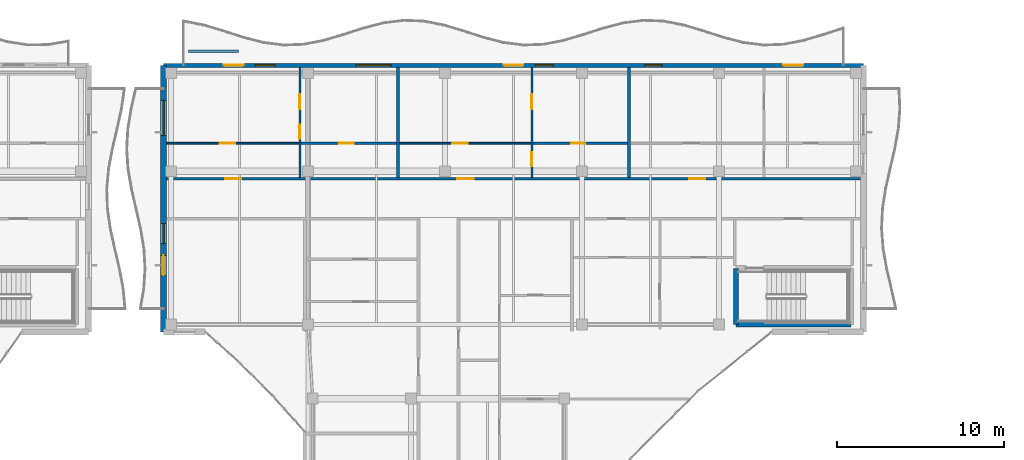
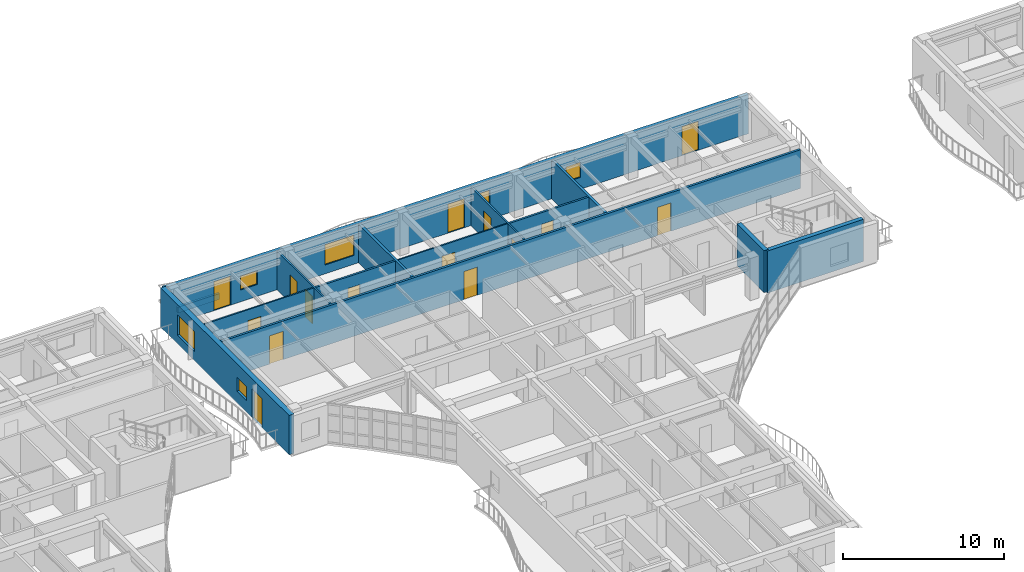
# One storey, part 53 of 89: 15 doors, 14 walls, 6 windows, 21 openings.
"""IFC4 building model written with IfcOpenShell, lengths in metres."""

from ifc_helpers import new_model, si_unit, direction, frame, frame_2d, origin, place, context, subcontext, project, spatial, rectangle, extrude, material, layer, layer_set, type_object, element, fill, save


model = new_model("IFC4")

# Units and contexts
model_context = context("Model", 3, precision=1e-05, world=origin(), true_north=direction((0.0, 1.0)))
body_context = subcontext(model_context, "Body", "Model", "MODEL_VIEW")
ifc_project = project(units=[si_unit("LENGTHUNIT", "METRE"), si_unit("AREAUNIT", "SQUARE_METRE"), si_unit("VOLUMEUNIT", "CUBIC_METRE"), si_unit("PLANEANGLEUNIT", "RADIAN"), si_unit("MASSUNIT", "GRAM", prefix="KILO")], contexts=[model_context])

# Site, building, storey
site_placement = place(None, origin())
site = spatial("IfcSite", under=ifc_project, at=site_placement, CompositionType="ELEMENT")
building_placement = place(site_placement, origin())
building = spatial("IfcBuilding", under=site, at=building_placement, Name="Keldmere Railside Commons", CompositionType="ELEMENT")
storey_placement = place(building_placement, frame((0.0, 0.0, 7.360107421875)))
storey = spatial("IfcBuildingStorey", under=building, at=storey_placement, Name="L02", CompositionType="ELEMENT", Elevation=7.360107421875)

# Walls
ifc_material_1 = material(Name="Acoustic Gypsum Board Partition", Category="gypsum")
ifc_layer_1 = layer(ifc_material_1, 0.179931640625, Name="Acoustic Demising Partition 180")
ifc_layer_set_1 = layer_set([ifc_layer_1], Name="Acoustic Gypsum Board Partition")
wall_type_1 = type_object("IfcWallType", Name="Acoustic Demising Partition 180", PredefinedType="PARTITIONING", material=ifc_layer_set_1)
for number, where, z_axis, x_axis, name in (
    (1, (53.56005859375, 109.280029296875, 0.0), (0.0, 0.0, 1.0), (0.0, 1.0, 0.0), "IW-1 IW-L02-0573"),
    (2, (67.43994140625, 109.280029296875, 0.0), (0.0, 0.0, 1.0), (0.0, 1.0, 0.0), "IW-1 IW-L02-0574"),
):
    element("IfcWall", number, at=place(storey_placement, frame(where, z_axis=z_axis, x_axis=x_axis)), inside=storey, type_object=wall_type_1, Name=name, PredefinedType="PARTITIONING", context=body_context, shape_type="SweptSolid", body=[
        extrude(rectangle(XDim=6.599853515625, YDim=0.179931640625, at=frame_2d((3.2998046875, 0.0))), origin(), (0.0, 0.0, 1.0), 2.934814453125),
    ])

# Wall, openings, doors
ifc_layer_2 = layer(ifc_material_1, 0.1201171875, Name="Apartment Interior Partition 120")
ifc_layer_set_2 = layer_set([ifc_layer_2], Name="Acoustic Gypsum Board Partition")
wall_type_2 = type_object("IfcWallType", Name="Apartment Interior Partition 120", PredefinedType="PARTITIONING", material=ifc_layer_set_2)
wall_1_placement = place(storey_placement, frame((47.679931640625, 109.280029296875, 0.0), z_axis=(0.0, 0.0, 1.0), x_axis=(0.0, 1.0, 0.0)))
wall_1 = element("IfcWall", 3, at=wall_1_placement, inside=storey, type_object=wall_type_2, Name="IW-4 IW-L02-0575", PredefinedType="PARTITIONING", context=body_context, shape_type="SweptSolid", body=[
    extrude(rectangle(XDim=6.599853515625, YDim=0.1201171875, at=frame_2d((3.2998046875, 0.0))), origin(), (0.0, 0.0, 1.0), 2.934814453125),
])
opening_1_placement = place(wall_1_placement, frame((2.305908203125, 0.0, 0.0)))
opening_1 = element("IfcOpeningElement", 4, at=opening_1_placement, cuts=wall_1, Name="Opening ID-04", PredefinedType="OPENING", context=body_context, shape_type="SweptSolid", body=[
    extrude(rectangle(XDim=0.860107421875, YDim=2.10009765625, at=frame_2d((0.43017578125, 1.050048828125))), frame((0.0, 0.070068359375, 0.0), z_axis=(0.0, -1.0, 0.0), x_axis=(1.0, 0.0, 0.0)), (0.0, 0.0, 1.0), 0.14013671875),
])
opening_2_placement = place(wall_1_placement, frame((4.097412109375, 0.0, 0.0)))
opening_2 = element("IfcOpeningElement", 5, at=opening_2_placement, cuts=wall_1, Name="Opening ID-01", PredefinedType="OPENING", context=body_context, shape_type="SweptSolid", body=[
    extrude(rectangle(XDim=0.89990234375, YDim=2.10009765625, at=frame_2d((0.449951171875, 1.050048828125))), frame((0.0, 0.070068359375, 0.0), z_axis=(0.0, -1.0, 0.0), x_axis=(1.0, 0.0, 0.0)), (0.0, 0.0, 1.0), 0.14013671875),
])
ifc_material_2 = material(Name="Engineered Oak Timber", Category="wood")
door_type_1 = type_object("IfcDoorType", Name="Apartment Bathroom Door 860x2100", OperationType="NOTDEFINED", PredefinedType="DOOR", material=ifc_material_2)
door_1_placement = place(opening_1_placement, origin())
door_1 = element("IfcDoor", 6, at=door_1_placement, inside=storey, type_object=door_type_1, Name="ID-04 IDR-L02-0465", OperationType="SINGLE_SWING_LEFT", OverallHeight=2.10009765625, OverallWidth=0.860107421875, PredefinedType="DOOR", context=body_context, shape_type="SweptSolid", body=[
    extrude(rectangle(XDim=0.860107421875, YDim=2.10009765625, at=frame_2d((0.43017578125, 1.050048828125))), frame((0.0, 0.02490234375, 0.0), z_axis=(0.0, -1.0, 0.0), x_axis=(1.0, 0.0, 0.0)), (0.0, 0.0, 1.0), 0.050048828125),
])
fill(opening_1, door_1)
door_type_2 = type_object("IfcDoorType", Name="Primary Bedroom Door 900x2100", OperationType="NOTDEFINED", PredefinedType="DOOR", material=ifc_material_2)
door_2_placement = place(opening_2_placement, origin())
door_2 = element("IfcDoor", 7, at=door_2_placement, inside=storey, type_object=door_type_2, Name="ID-01 IDR-L02-0466", OperationType="SINGLE_SWING_RIGHT", OverallHeight=2.10009765625, OverallWidth=0.89990234375, PredefinedType="DOOR", context=body_context, shape_type="SweptSolid", body=[
    extrude(rectangle(XDim=0.89990234375, YDim=2.10009765625, at=frame_2d((0.449951171875, 1.050048828125))), frame((0.0, 0.02490234375, 0.0), z_axis=(0.0, -1.0, 0.0), x_axis=(1.0, 0.0, 0.0)), (0.0, 0.0, 1.0), 0.050048828125),
])
fill(opening_2, door_2)

wall_2_placement = place(storey_placement, frame((61.60009765625, 109.280029296875, 0.0), z_axis=(0.0, 0.0, 1.0), x_axis=(0.0, 1.0, 0.0)))
wall_2 = element("IfcWall", 8, at=wall_2_placement, inside=storey, type_object=wall_type_2, Name="IW-4 IW-L02-0578", PredefinedType="PARTITIONING", context=body_context, shape_type="SweptSolid", body=[
    extrude(rectangle(XDim=6.599853515625, YDim=0.1201171875, at=frame_2d((3.2998046875, 0.0))), origin(), (0.0, 0.0, 1.0), 2.934814453125),
])
opening_3_placement = place(wall_2_placement, frame((0.656005859375, 0.0, 0.0)))
opening_3 = element("IfcOpeningElement", 9, at=opening_3_placement, cuts=wall_2, Name="Opening ID-04", PredefinedType="OPENING", context=body_context, shape_type="SweptSolid", body=[
    extrude(rectangle(XDim=0.860107421875, YDim=2.10009765625, at=frame_2d((0.43017578125, 1.050048828125))), frame((0.0, 0.070068359375, 0.0), z_axis=(0.0, -1.0, 0.0), x_axis=(1.0, 0.0, 0.0)), (0.0, 0.0, 1.0), 0.14013671875),
])
opening_4_placement = place(wall_2_placement, frame((4.097412109375, 0.0, 0.0)))
opening_4 = element("IfcOpeningElement", 10, at=opening_4_placement, cuts=wall_2, Name="Opening ID-01", PredefinedType="OPENING", context=body_context, shape_type="SweptSolid", body=[
    extrude(rectangle(XDim=0.89990234375, YDim=2.10009765625, at=frame_2d((0.449951171875, 1.050048828125))), frame((0.0, 0.070068359375, 0.0), z_axis=(0.0, -1.0, 0.0), x_axis=(1.0, 0.0, 0.0)), (0.0, 0.0, 1.0), 0.14013671875),
])
door_3_placement = place(opening_3_placement, origin())
door_3 = element("IfcDoor", 11, at=door_3_placement, inside=storey, type_object=door_type_1, Name="ID-04 IDR-L02-0470", OperationType="SINGLE_SWING_RIGHT", OverallHeight=2.10009765625, OverallWidth=0.860107421875, PredefinedType="DOOR", context=body_context, shape_type="SweptSolid", body=[
    extrude(rectangle(XDim=0.860107421875, YDim=2.10009765625, at=frame_2d((0.43017578125, 1.050048828125))), frame((0.0, 0.02490234375, 0.0), z_axis=(0.0, -1.0, 0.0), x_axis=(1.0, 0.0, 0.0)), (0.0, 0.0, 1.0), 0.050048828125),
])
fill(opening_3, door_3)
door_4_placement = place(opening_4_placement, origin())
door_4 = element("IfcDoor", 12, at=door_4_placement, inside=storey, type_object=door_type_2, Name="ID-01 IDR-L02-0471", OperationType="SINGLE_SWING_LEFT", OverallHeight=2.10009765625, OverallWidth=0.89990234375, PredefinedType="DOOR", context=body_context, shape_type="SweptSolid", body=[
    extrude(rectangle(XDim=0.89990234375, YDim=2.10009765625, at=frame_2d((0.449951171875, 1.050048828125))), frame((0.0, 0.02490234375, 0.0), z_axis=(0.0, -1.0, 0.0), x_axis=(1.0, 0.0, 0.0)), (0.0, 0.0, 1.0), 0.050048828125),
])
fill(opening_4, door_4)

# Wall
ifc_material_3 = material(Name="White Precast Concrete H-35 (C35/45)", Category="concrete")
ifc_layer_3 = layer(ifc_material_3, 0.169921875, Name="Balcony Planter Kerb Wall 170")
ifc_layer_set_3 = layer_set([ifc_layer_3], Name="White Precast Concrete H-35 (C35/45)")
wall_type_3 = type_object("IfcWallType", Name="Balcony Planter Kerb Wall 170", PredefinedType="PARAPET", material=ifc_layer_set_3)
wall_3_placement = place(storey_placement, frame((41.0, 116.85009765625, 0.0), z_axis=(0.0, 0.0, 1.0), x_axis=(1.0, 0.0, 0.0)))
element("IfcWall", 13, at=wall_3_placement, inside=storey, type_object=wall_type_3, Name="PW-2 PKBC-L02-0343", PredefinedType="PARAPET", context=body_context, shape_type="SweptSolid", body=[
    extrude(rectangle(XDim=3.0, YDim=0.169921875, at=frame_2d((1.5, 0.0))), origin(), (0.0, 0.0, 1.0), 0.449951171875),
])

# Wall, opening, door
ifc_layer_4 = layer(ifc_material_1, 0.10009765625, Name="Closet Light Partition 100")
ifc_layer_set_4 = layer_set([ifc_layer_4], Name="Acoustic Gypsum Board Partition")
wall_type_4 = type_object("IfcWallType", Name="Closet Light Partition 100", PredefinedType="PARTITIONING", material=ifc_layer_set_4)
wall_4_placement = place(storey_placement, frame((39.679931640625, 111.330078125, 0.0), z_axis=(0.0, 0.0, 1.0), x_axis=(1.0, 0.0, 0.0)))
wall_4 = element("IfcWall", 14, at=wall_4_placement, inside=storey, type_object=wall_type_4, Name="IW-6 IW-L02-0577", PredefinedType="PARTITIONING", context=body_context, shape_type="SweptSolid", body=[
    extrude(rectangle(XDim=7.940185546875, YDim=0.10009765625, at=frame_2d((3.97021484375, 0.0))), origin(), (0.0, 0.0, 1.0), 2.934814453125),
])
opening_5_placement = place(wall_4_placement, frame((3.199951171875, 0.0, 0.0)))
opening_5 = element("IfcOpeningElement", 15, at=opening_5_placement, cuts=wall_4, Name="Opening ID-03", PredefinedType="OPENING", context=body_context, shape_type="SweptSolid", body=[
    extrude(rectangle(XDim=0.919921875, YDim=2.10009765625, at=frame_2d((0.4599609375, 1.050048828125))), frame((0.0, 0.06005859375, 0.0), z_axis=(0.0, -1.0, 0.0), x_axis=(1.0, 0.0, 0.0)), (0.0, 0.0, 1.0), 0.1201171875),
])
door_type_3 = type_object("IfcDoorType", Name="Kitchen Pocket-Frame Swing Door 920x2100", OperationType="NOTDEFINED", PredefinedType="DOOR", material=ifc_material_2)
door_5_placement = place(opening_5_placement, origin())
door_5 = element("IfcDoor", 16, at=door_5_placement, inside=storey, type_object=door_type_3, Name="ID-03 IDR-L02-0464", OperationType="SINGLE_SWING_RIGHT", OverallHeight=2.10009765625, OverallWidth=0.919921875, PredefinedType="DOOR", context=body_context, shape_type="SweptSolid", body=[
    extrude(rectangle(XDim=0.919921875, YDim=2.10009765625, at=frame_2d((0.4599609375, 1.050048828125))), frame((0.0, 0.02490234375, 0.0), z_axis=(0.0, -1.0, 0.0), x_axis=(1.0, 0.0, 0.0)), (0.0, 0.0, 1.0), 0.050048828125),
])
fill(opening_5, door_5)

wall_5_placement = place(storey_placement, frame((53.64990234375, 111.330078125, 0.0), z_axis=(0.0, 0.0, 1.0), x_axis=(1.0, 0.0, 0.0)))
wall_5 = element("IfcWall", 17, at=wall_5_placement, inside=storey, type_object=wall_type_4, Name="IW-6 IW-L02-0580", PredefinedType="PARTITIONING", context=body_context, shape_type="SweptSolid", body=[
    extrude(rectangle(XDim=7.89013671875, YDim=0.10009765625, at=frame_2d((3.945068359375, 0.0))), origin(), (0.0, 0.0, 1.0), 2.934814453125),
])
opening_6_placement = place(wall_5_placement, frame((3.179931640625, 0.0, 0.0)))
opening_6 = element("IfcOpeningElement", 18, at=opening_6_placement, cuts=wall_5, Name="Opening ID-03", PredefinedType="OPENING", context=body_context, shape_type="SweptSolid", body=[
    extrude(rectangle(XDim=0.919921875, YDim=2.10009765625, at=frame_2d((0.4599609375, 1.050048828125))), frame((0.0, 0.06005859375, 0.0), z_axis=(0.0, -1.0, 0.0), x_axis=(1.0, 0.0, 0.0)), (0.0, 0.0, 1.0), 0.1201171875),
])
door_6_placement = place(opening_6_placement, origin())
door_6 = element("IfcDoor", 19, at=door_6_placement, inside=storey, type_object=door_type_3, Name="ID-03 IDR-L02-0469", OperationType="SINGLE_SWING_LEFT", OverallHeight=2.10009765625, OverallWidth=0.919921875, PredefinedType="DOOR", context=body_context, shape_type="SweptSolid", body=[
    extrude(rectangle(XDim=0.919921875, YDim=2.10009765625, at=frame_2d((0.4599609375, 1.050048828125))), frame((0.0, 0.02490234375, 0.0), z_axis=(0.0, -1.0, 0.0), x_axis=(1.0, 0.0, 0.0)), (0.0, 0.0, 1.0), 0.050048828125),
])
fill(opening_6, door_6)

# Wall, openings, doors
ifc_layer_5 = layer(ifc_material_1, 0.159912109375, Name="Corridor Fire Partition 160")
ifc_layer_set_5 = layer_set([ifc_layer_5], Name="Acoustic Gypsum Board Partition")
wall_type_5 = type_object("IfcWallType", Name="Corridor Fire Partition 160", PredefinedType="PARTITIONING", material=ifc_layer_set_5)
wall_6_placement = place(storey_placement, frame((39.679931640625, 109.199951171875, 0.0), z_axis=(0.0, 0.0, 1.0), x_axis=(1.0, 0.0, 0.0)))
wall_6 = element("IfcWall", 20, at=wall_6_placement, inside=storey, type_object=wall_type_5, Name="IW-2 IW-L02-0554", PredefinedType="PARTITIONING", context=body_context, shape_type="SweptSolid", body=[
    extrude(rectangle(XDim=41.64013671875, YDim=0.159912109375, at=frame_2d((20.820068359375, 0.0))), origin(), (0.0, 0.0, 1.0), 2.934814453125),
])
opening_7_placement = place(wall_6_placement, frame((3.510009765625, 0.0, 0.0)))
opening_7 = element("IfcOpeningElement", 21, at=opening_7_placement, cuts=wall_6, Name="Opening FD-7", PredefinedType="OPENING", context=body_context, shape_type="SweptSolid", body=[
    extrude(rectangle(XDim=0.97998046875, YDim=2.14990234375, at=frame_2d((0.489990234375, 1.074951171875))), frame((0.0, 0.08984375, 0.0), z_axis=(0.0, -1.0, 0.0), x_axis=(1.0, 0.0, 0.0)), (0.0, 0.0, 1.0), 0.179931640625),
])
opening_8_placement = place(wall_6_placement, frame((17.455078125, 0.0, 0.0)))
opening_8 = element("IfcOpeningElement", 22, at=opening_8_placement, cuts=wall_6, Name="Opening FD-7", PredefinedType="OPENING", context=body_context, shape_type="SweptSolid", body=[
    extrude(rectangle(XDim=0.97998046875, YDim=2.14990234375, at=frame_2d((0.489990234375, 1.074951171875))), frame((0.0, 0.08984375, 0.0), z_axis=(0.0, -1.0, 0.0), x_axis=(1.0, 0.0, 0.0)), (0.0, 0.0, 1.0), 0.179931640625),
])
opening_9_placement = place(wall_6_placement, frame((31.360107421875, 0.0, 0.0)))
opening_9 = element("IfcOpeningElement", 23, at=opening_9_placement, cuts=wall_6, Name="Opening FD-7", PredefinedType="OPENING", context=body_context, shape_type="SweptSolid", body=[
    extrude(rectangle(XDim=0.97998046875, YDim=2.14990234375, at=frame_2d((0.489990234375, 1.074951171875))), frame((0.0, 0.08984375, 0.0), z_axis=(0.0, -1.0, 0.0), x_axis=(1.0, 0.0, 0.0)), (0.0, 0.0, 1.0), 0.179931640625),
])
door_type_4 = type_object("IfcDoorType", Name="Apartment Entrance Acoustic Fire Door 980x2150", OperationType="NOTDEFINED", PredefinedType="DOOR", material=ifc_material_2)
door_7_placement = place(opening_7_placement, origin())
door_7 = element("IfcDoor", 24, at=door_7_placement, inside=storey, type_object=door_type_4, Name="FD-7 IDR-L02-0463", OperationType="SINGLE_SWING_LEFT", OverallHeight=2.14990234375, OverallWidth=0.97998046875, PredefinedType="DOOR", context=body_context, shape_type="SweptSolid", body=[
    extrude(rectangle(XDim=0.97998046875, YDim=2.14990234375, at=frame_2d((0.489990234375, 1.074951171875))), frame((0.0, 0.02490234375, 0.0), z_axis=(0.0, -1.0, 0.0), x_axis=(1.0, 0.0, 0.0)), (0.0, 0.0, 1.0), 0.050048828125),
])
fill(opening_7, door_7)
door_8_placement = place(opening_8_placement, origin())
door_8 = element("IfcDoor", 25, at=door_8_placement, inside=storey, type_object=door_type_4, Name="FD-7 IDR-L02-0468", OperationType="SINGLE_SWING_RIGHT", OverallHeight=2.14990234375, OverallWidth=0.97998046875, PredefinedType="DOOR", context=body_context, shape_type="SweptSolid", body=[
    extrude(rectangle(XDim=0.97998046875, YDim=2.14990234375, at=frame_2d((0.489990234375, 1.074951171875))), frame((0.0, 0.02490234375, 0.0), z_axis=(0.0, -1.0, 0.0), x_axis=(1.0, 0.0, 0.0)), (0.0, 0.0, 1.0), 0.050048828125),
])
fill(opening_8, door_8)
door_9_placement = place(opening_9_placement, origin())
door_9 = element("IfcDoor", 26, at=door_9_placement, inside=storey, type_object=door_type_4, Name="FD-7 IDR-L02-0473", OperationType="SINGLE_SWING_LEFT", OverallHeight=2.14990234375, OverallWidth=0.97998046875, PredefinedType="DOOR", context=body_context, shape_type="SweptSolid", body=[
    extrude(rectangle(XDim=0.97998046875, YDim=2.14990234375, at=frame_2d((0.489990234375, 1.074951171875))), frame((0.0, 0.02490234375, 0.0), z_axis=(0.0, -1.0, 0.0), x_axis=(1.0, 0.0, 0.0)), (0.0, 0.0, 1.0), 0.050048828125),
])
fill(opening_9, door_9)

# Wall, openings, windows, door
ifc_material_4 = material(Name="Concrete H-35 (C35/45)", Category="concrete")
ifc_layer_6 = layer(ifc_material_4, 0.360107421875, Name="Exterior Shear Wall 360")
ifc_layer_set_6 = layer_set([ifc_layer_6], Name="Concrete H-35 (C35/45)")
wall_type_6 = type_object("IfcWallType", Name="Exterior Shear Wall 360", PredefinedType="SHEAR", material=ifc_layer_set_6)
wall_7_placement = place(storey_placement, frame((39.5, 100.0, 0.0), z_axis=(0.0, 0.0, 1.0), x_axis=(0.0, 1.0, 0.0)))
wall_7 = element("IfcWall", 27, at=wall_7_placement, inside=storey, type_object=wall_type_6, Name="ESW-1 EXTC-L02-0340", PredefinedType="SHEAR", context=body_context, shape_type="SweptSolid", body=[
    extrude(rectangle(XDim=16.0, YDim=0.360107421875, at=frame_2d((8.0, 0.0))), origin(), (0.0, 0.0, 1.0), 2.97998046875),
])
opening_10_placement = place(wall_7_placement, frame((3.39990234375, 0.0, 0.0)))
opening_10 = element("IfcOpeningElement", 28, at=opening_10_placement, cuts=wall_7, Name="Opening BD-01", PredefinedType="OPENING", context=body_context, shape_type="SweptSolid", body=[
    extrude(rectangle(XDim=1.199951171875, YDim=2.199951171875, at=frame_2d((0.60009765625, 1.10009765625))), frame((0.0, 0.18994140625, 0.0), z_axis=(0.0, -1.0, 0.0), x_axis=(1.0, 0.0, 0.0)), (0.0, 0.0, 1.0), 0.380126953125),
])
opening_11_placement = place(wall_7_placement, frame((5.300048828125, 0.0, 0.89990234375)))
opening_11 = element("IfcOpeningElement", 29, at=opening_11_placement, cuts=wall_7, Name="Opening WN-14", PredefinedType="OPENING", context=body_context, shape_type="SweptSolid", body=[
    extrude(rectangle(XDim=1.199951171875, YDim=1.050048828125, at=frame_2d((0.60009765625, 0.52490234375))), frame((0.0, 0.18994140625, 0.0), z_axis=(0.0, -1.0, 0.0), x_axis=(1.0, 0.0, 0.0)), (0.0, 0.0, 1.0), 0.380126953125),
])
opening_12_placement = place(wall_7_placement, frame((11.800048828125, 0.0, 0.669921875)))
opening_12 = element("IfcOpeningElement", 30, at=opening_12_placement, cuts=wall_7, Name="Opening WN-11", PredefinedType="OPENING", context=body_context, shape_type="SweptSolid", body=[
    extrude(rectangle(XDim=2.10009765625, YDim=1.550048828125, at=frame_2d((1.050048828125, 0.77490234375))), frame((0.0, 0.18994140625, 0.0), z_axis=(0.0, -1.0, 0.0), x_axis=(1.0, 0.0, 0.0)), (0.0, 0.0, 1.0), 0.380126953125),
])
ifc_material_5 = material(Name="Low-E Insulated Double Glazing", Category="glass")
window_type_1 = type_object("IfcWindowType", Name="Apartment Kitchen Ribbon Window 1200x1050", PartitioningType="SINGLE_PANEL", PredefinedType="WINDOW", material=ifc_material_5)
window_1_placement = place(opening_11_placement, origin())
window_1 = element("IfcWindow", 31, at=window_1_placement, inside=storey, type_object=window_type_1, Name="WN-14 WIN-L02-0204", OverallHeight=1.050048828125, OverallWidth=1.199951171875, PartitioningType="SINGLE_PANEL", PredefinedType="WINDOW", context=body_context, shape_type="SweptSolid", body=[
    extrude(rectangle(XDim=1.199951171875, YDim=1.050048828125, at=frame_2d((0.60009765625, 0.52490234375))), frame((0.0, 0.030029296875, 0.0), z_axis=(0.0, -1.0, 0.0), x_axis=(1.0, 0.0, 0.0)), (0.0, 0.0, 1.0), 0.06005859375),
])
fill(opening_11, window_1)
ifc_material_6 = material(Name="Thermally Broken Aluminium", Category="aluminium")
door_type_5 = type_object("IfcDoorType", Name="Apartment Living Wave-Balcony Glazed Door 1200x2200", OperationType="NOTDEFINED", PredefinedType="DOOR", material=ifc_material_6)
door_10_placement = place(opening_10_placement, origin())
door_10 = element("IfcDoor", 32, at=door_10_placement, inside=storey, type_object=door_type_5, Name="BD-01 DR-L02-0067", OperationType="SINGLE_SWING_LEFT", OverallHeight=2.199951171875, OverallWidth=1.199951171875, PredefinedType="DOOR", context=body_context, shape_type="SweptSolid", body=[
    extrude(rectangle(XDim=1.199951171875, YDim=2.199951171875, at=frame_2d((0.60009765625, 1.10009765625))), frame((0.0, 0.02490234375, 0.0), z_axis=(0.0, -1.0, 0.0), x_axis=(1.0, 0.0, 0.0)), (0.0, 0.0, 1.0), 0.050048828125),
])
fill(opening_10, door_10)
window_type_2 = type_object("IfcWindowType", Name="Studio Wide Casement Window 2100x1550", PartitioningType="SINGLE_PANEL", PredefinedType="WINDOW", material=ifc_material_5)
window_2_placement = place(opening_12_placement, origin())
window_2 = element("IfcWindow", 33, at=window_2_placement, inside=storey, type_object=window_type_2, Name="WN-11 WIN-L02-0205", OverallHeight=1.550048828125, OverallWidth=2.10009765625, PartitioningType="SINGLE_PANEL", PredefinedType="WINDOW", context=body_context, shape_type="SweptSolid", body=[
    extrude(rectangle(XDim=2.10009765625, YDim=1.550048828125, at=frame_2d((1.050048828125, 0.77490234375))), frame((0.0, 0.030029296875, 0.0), z_axis=(0.0, -1.0, 0.0), x_axis=(1.0, 0.0, 0.0)), (0.0, 0.0, 1.0), 0.06005859375),
])
fill(opening_12, window_2)

# Walls
ifc_layer_7 = layer(ifc_material_4, 0.300048828125, Name="Interior Shear Wall 300")
ifc_layer_set_7 = layer_set([ifc_layer_7], Name="Concrete H-35 (C35/45)")
wall_type_7 = type_object("IfcWallType", Name="Interior Shear Wall 300", PredefinedType="SHEAR", material=ifc_layer_set_7)
wall_8_placement = place(storey_placement, frame((73.85009765625, 100.449951171875, 0.0), z_axis=(0.0, 0.0, 1.0), x_axis=(1.0, 0.0, 0.0)))
element("IfcWall", 34, at=wall_8_placement, inside=storey, type_object=wall_type_7, Name="ISW-2 COREC2S-L02-0230", PredefinedType="SHEAR", context=body_context, shape_type="SweptSolid", body=[
    extrude(rectangle(XDim=6.89990234375, YDim=0.300048828125, at=frame_2d((3.449951171875, 0.0))), origin(), (0.0, 0.0, 1.0), 3.199951171875),
])
wall_9_placement = place(storey_placement, frame((73.85009765625, 103.820068359375, 0.0), z_axis=(0.0, 0.0, 1.0), x_axis=(0.0, -1.0, 0.0)))
element("IfcWall", 35, at=wall_9_placement, inside=storey, type_object=wall_type_7, Name="ISW-2 COREC2W-L02-0232", PredefinedType="SHEAR", context=body_context, shape_type="SweptSolid", body=[
    extrude(rectangle(XDim=3.3701171875, YDim=0.300048828125, at=frame_2d((1.68505859375, 0.0))), origin(), (0.0, 0.0, 1.0), 3.199951171875),
])

# Wall, openings, windows, doors
ifc_material_7 = material(Name="Architectural Precast Concrete H-35 (C35/45)", Category="concrete")
ifc_layer_8 = layer(ifc_material_7, 0.239990234375, Name="Sand-Ochre Precast Cavity Wall 240")
ifc_layer_set_8 = layer_set([ifc_layer_8], Name="Architectural Precast Concrete H-35 (C35/45)")
wall_type_8 = type_object("IfcWallType", Name="Sand-Ochre Precast Cavity Wall 240", PredefinedType="SOLIDWALL", material=ifc_layer_set_8)
wall_10_placement = place(storey_placement, frame((39.5, 116.0, 0.0), z_axis=(0.0, 0.0, 1.0), x_axis=(1.0, 0.0, 0.0)))
wall_10 = element("IfcWall", 36, at=wall_10_placement, inside=storey, type_object=wall_type_8, Name="EW-2 EXTC-L02-0339", PredefinedType="SOLIDWALL", context=body_context, shape_type="SweptSolid", body=[
    extrude(rectangle(XDim=42.0, YDim=0.239990234375, at=frame_2d((21.0, 0.0))), origin(), (0.0, 0.0, 1.0), 2.97998046875),
])
opening_13_placement = place(wall_10_placement, frame((3.60009765625, 0.0, 0.0)))
opening_13 = element("IfcOpeningElement", 37, at=opening_13_placement, cuts=wall_10, Name="Opening BD-01", PredefinedType="OPENING", context=body_context, shape_type="SweptSolid", body=[
    extrude(rectangle(XDim=1.199951171875, YDim=2.199951171875, at=frame_2d((0.60009765625, 1.10009765625))), frame((0.0, 0.1298828125, 0.0), z_axis=(0.0, -1.0, 0.0), x_axis=(1.0, 0.0, 0.0)), (0.0, 0.0, 1.0), 0.260009765625),
])
opening_14_placement = place(wall_10_placement, frame((5.5, 0.0, 0.89990234375)))
opening_14 = element("IfcOpeningElement", 38, at=opening_14_placement, cuts=wall_10, Name="Opening WN-14", PredefinedType="OPENING", context=body_context, shape_type="SweptSolid", body=[
    extrude(rectangle(XDim=1.199951171875, YDim=1.050048828125, at=frame_2d((0.60009765625, 0.52490234375))), frame((0.0, 0.1298828125, 0.0), z_axis=(0.0, -1.0, 0.0), x_axis=(1.0, 0.0, 0.0)), (0.0, 0.0, 1.0), 0.260009765625),
])
opening_15_placement = place(wall_10_placement, frame((11.550048828125, 0.0, 0.669921875)))
opening_15 = element("IfcOpeningElement", 39, at=opening_15_placement, cuts=wall_10, Name="Opening WN-11", PredefinedType="OPENING", context=body_context, shape_type="SweptSolid", body=[
    extrude(rectangle(XDim=2.10009765625, YDim=1.550048828125, at=frame_2d((1.050048828125, 0.77490234375))), frame((0.0, 0.1298828125, 0.0), z_axis=(0.0, -1.0, 0.0), x_axis=(1.0, 0.0, 0.0)), (0.0, 0.0, 1.0), 0.260009765625),
])
opening_16_placement = place(wall_10_placement, frame((20.39990234375, 0.0, 0.0)))
opening_16 = element("IfcOpeningElement", 40, at=opening_16_placement, cuts=wall_10, Name="Opening BD-01", PredefinedType="OPENING", context=body_context, shape_type="SweptSolid", body=[
    extrude(rectangle(XDim=1.199951171875, YDim=2.199951171875, at=frame_2d((0.60009765625, 1.10009765625))), frame((0.0, 0.1298828125, 0.0), z_axis=(0.0, -1.0, 0.0), x_axis=(1.0, 0.0, 0.0)), (0.0, 0.0, 1.0), 0.260009765625),
])
opening_17_placement = place(wall_10_placement, frame((22.300048828125, 0.0, 0.6201171875)))
opening_17 = element("IfcOpeningElement", 41, at=opening_17_placement, cuts=wall_10, Name="Opening WN-16", PredefinedType="OPENING", context=body_context, shape_type="SweptSolid", body=[
    extrude(rectangle(XDim=1.10009765625, YDim=1.60009765625, at=frame_2d((0.550048828125, 0.800048828125))), frame((0.0, 0.1298828125, 0.0), z_axis=(0.0, -1.0, 0.0), x_axis=(1.0, 0.0, 0.0)), (0.0, 0.0, 1.0), 0.260009765625),
])
opening_18_placement = place(wall_10_placement, frame((28.875, 0.0, 0.89990234375)))
opening_18 = element("IfcOpeningElement", 42, at=opening_18_placement, cuts=wall_10, Name="Opening WN-13", PredefinedType="OPENING", context=body_context, shape_type="SweptSolid", body=[
    extrude(rectangle(XDim=1.050048828125, YDim=1.14990234375, at=frame_2d((0.52490234375, 0.574951171875))), frame((0.0, 0.1298828125, 0.0), z_axis=(0.0, -1.0, 0.0), x_axis=(1.0, 0.0, 0.0)), (0.0, 0.0, 1.0), 0.260009765625),
])
opening_19_placement = place(wall_10_placement, frame((37.199951171875, 0.0, 0.0)))
opening_19 = element("IfcOpeningElement", 43, at=opening_19_placement, cuts=wall_10, Name="Opening BD-01", PredefinedType="OPENING", context=body_context, shape_type="SweptSolid", body=[
    extrude(rectangle(XDim=1.199951171875, YDim=2.199951171875, at=frame_2d((0.60009765625, 1.10009765625))), frame((0.0, 0.1298828125, 0.0), z_axis=(0.0, -1.0, 0.0), x_axis=(1.0, 0.0, 0.0)), (0.0, 0.0, 1.0), 0.260009765625),
])
window_type_3 = type_object("IfcWindowType", Name="Apartment Kitchen Casement Window 1050x1150", PartitioningType="SINGLE_PANEL", PredefinedType="WINDOW", material=ifc_material_5)
window_3_placement = place(opening_18_placement, origin())
window_3 = element("IfcWindow", 44, at=window_3_placement, inside=storey, type_object=window_type_3, Name="WN-13 WIN-L02-0203", OverallHeight=1.14990234375, OverallWidth=1.050048828125, PartitioningType="SINGLE_PANEL", PredefinedType="WINDOW", context=body_context, shape_type="SweptSolid", body=[
    extrude(rectangle(XDim=1.050048828125, YDim=1.14990234375, at=frame_2d((0.52490234375, 0.574951171875))), frame((0.0, 0.030029296875, 0.0), z_axis=(0.0, -1.0, 0.0), x_axis=(1.0, 0.0, 0.0)), (0.0, 0.0, 1.0), 0.06005859375),
])
fill(opening_18, window_3)
window_4_placement = place(opening_14_placement, origin())
window_4 = element("IfcWindow", 45, at=window_4_placement, inside=storey, type_object=window_type_1, Name="WN-14 WIN-L02-0200", OverallHeight=1.050048828125, OverallWidth=1.199951171875, PartitioningType="SINGLE_PANEL", PredefinedType="WINDOW", context=body_context, shape_type="SweptSolid", body=[
    extrude(rectangle(XDim=1.199951171875, YDim=1.050048828125, at=frame_2d((0.60009765625, 0.52490234375))), frame((0.0, 0.030029296875, 0.0), z_axis=(0.0, -1.0, 0.0), x_axis=(1.0, 0.0, 0.0)), (0.0, 0.0, 1.0), 0.06005859375),
])
fill(opening_14, window_4)
door_11_placement = place(opening_13_placement, origin())
door_11 = element("IfcDoor", 46, at=door_11_placement, inside=storey, type_object=door_type_5, Name="BD-01 DR-L02-0064", OperationType="SINGLE_SWING_RIGHT", OverallHeight=2.199951171875, OverallWidth=1.199951171875, PredefinedType="DOOR", context=body_context, shape_type="SweptSolid", body=[
    extrude(rectangle(XDim=1.199951171875, YDim=2.199951171875, at=frame_2d((0.60009765625, 1.10009765625))), frame((0.0, 0.02490234375, 0.0), z_axis=(0.0, -1.0, 0.0), x_axis=(1.0, 0.0, 0.0)), (0.0, 0.0, 1.0), 0.050048828125),
])
fill(opening_13, door_11)
door_12_placement = place(opening_16_placement, origin())
door_12 = element("IfcDoor", 47, at=door_12_placement, inside=storey, type_object=door_type_5, Name="BD-01 DR-L02-0065", OperationType="SINGLE_SWING_LEFT", OverallHeight=2.199951171875, OverallWidth=1.199951171875, PredefinedType="DOOR", context=body_context, shape_type="SweptSolid", body=[
    extrude(rectangle(XDim=1.199951171875, YDim=2.199951171875, at=frame_2d((0.60009765625, 1.10009765625))), frame((0.0, 0.02490234375, 0.0), z_axis=(0.0, -1.0, 0.0), x_axis=(1.0, 0.0, 0.0)), (0.0, 0.0, 1.0), 0.050048828125),
])
fill(opening_16, door_12)
door_13_placement = place(opening_19_placement, origin())
door_13 = element("IfcDoor", 48, at=door_13_placement, inside=storey, type_object=door_type_5, Name="BD-01 DR-L02-0066", OperationType="SINGLE_SWING_RIGHT", OverallHeight=2.199951171875, OverallWidth=1.199951171875, PredefinedType="DOOR", context=body_context, shape_type="SweptSolid", body=[
    extrude(rectangle(XDim=1.199951171875, YDim=2.199951171875, at=frame_2d((0.60009765625, 1.10009765625))), frame((0.0, 0.02490234375, 0.0), z_axis=(0.0, -1.0, 0.0), x_axis=(1.0, 0.0, 0.0)), (0.0, 0.0, 1.0), 0.050048828125),
])
fill(opening_19, door_13)
window_type_4 = type_object("IfcWindowType", Name="Corridor End Daylight Window 1100x1600", PartitioningType="SINGLE_PANEL", PredefinedType="WINDOW", material=ifc_material_5)
window_5_placement = place(opening_17_placement, origin())
window_5 = element("IfcWindow", 49, at=window_5_placement, inside=storey, type_object=window_type_4, Name="WN-16 WIN-L02-0202", OverallHeight=1.60009765625, OverallWidth=1.10009765625, PartitioningType="SINGLE_PANEL", PredefinedType="WINDOW", context=body_context, shape_type="SweptSolid", body=[
    extrude(rectangle(XDim=1.10009765625, YDim=1.60009765625, at=frame_2d((0.550048828125, 0.800048828125))), frame((0.0, 0.030029296875, 0.0), z_axis=(0.0, -1.0, 0.0), x_axis=(1.0, 0.0, 0.0)), (0.0, 0.0, 1.0), 0.06005859375),
])
fill(opening_17, window_5)
window_6_placement = place(opening_15_placement, origin())
window_6 = element("IfcWindow", 50, at=window_6_placement, inside=storey, type_object=window_type_2, Name="WN-11 WIN-L02-0201", OverallHeight=1.550048828125, OverallWidth=2.10009765625, PartitioningType="SINGLE_PANEL", PredefinedType="WINDOW", context=body_context, shape_type="SweptSolid", body=[
    extrude(rectangle(XDim=2.10009765625, YDim=1.550048828125, at=frame_2d((1.050048828125, 0.77490234375))), frame((0.0, 0.030029296875, 0.0), z_axis=(0.0, -1.0, 0.0), x_axis=(1.0, 0.0, 0.0)), (0.0, 0.0, 1.0), 0.06005859375),
])
fill(opening_15, window_6)

# Wall, opening, door
ifc_layer_9 = layer(ifc_material_1, 0.139892578125, Name="Wet-Room Sanitary Partition 140")
ifc_layer_set_9 = layer_set([ifc_layer_9], Name="Acoustic Gypsum Board Partition")
wall_type_9 = type_object("IfcWallType", Name="Wet-Room Sanitary Partition 140", PredefinedType="PARTITIONING", material=ifc_layer_set_9)
wall_11_placement = place(storey_placement, frame((47.739990234375, 111.330078125, 0.0), z_axis=(0.0, 0.0, 1.0), x_axis=(1.0, 0.0, 0.0)))
wall_11 = element("IfcWall", 51, at=wall_11_placement, inside=storey, type_object=wall_type_9, Name="IW-5 IW-L02-0576", PredefinedType="PARTITIONING", context=body_context, shape_type="SweptSolid", body=[
    extrude(rectangle(XDim=5.72998046875, YDim=0.139892578125, at=frame_2d((2.864990234375, 0.0))), origin(), (0.0, 0.0, 1.0), 2.934814453125),
])
opening_20_placement = place(wall_11_placement, frame((2.31591796875, 0.0, 0.0)))
opening_20 = element("IfcOpeningElement", 52, at=opening_20_placement, cuts=wall_11, Name="Opening ID-06", PredefinedType="OPENING", context=body_context, shape_type="SweptSolid", body=[
    extrude(rectangle(XDim=0.85009765625, YDim=2.050048828125, at=frame_2d((0.425048828125, 1.02490234375))), frame((0.0, 0.079833984375, 0.0), z_axis=(0.0, -1.0, 0.0), x_axis=(1.0, 0.0, 0.0)), (0.0, 0.0, 1.0), 0.159912109375),
])
door_type_6 = type_object("IfcDoorType", Name="Storage Closet Door 850x2050", OperationType="NOTDEFINED", PredefinedType="DOOR", material=ifc_material_2)
door_14_placement = place(opening_20_placement, origin())
door_14 = element("IfcDoor", 53, at=door_14_placement, inside=storey, type_object=door_type_6, Name="ID-06 IDR-L02-0467", OperationType="SINGLE_SWING_LEFT", OverallHeight=2.050048828125, OverallWidth=0.85009765625, PredefinedType="DOOR", context=body_context, shape_type="SweptSolid", body=[
    extrude(rectangle(XDim=0.85009765625, YDim=2.050048828125, at=frame_2d((0.425048828125, 1.02490234375))), frame((0.0, 0.02490234375, 0.0), z_axis=(0.0, -1.0, 0.0), x_axis=(1.0, 0.0, 0.0)), (0.0, 0.0, 1.0), 0.050048828125),
])
fill(opening_20, door_14)

wall_12_placement = place(storey_placement, frame((61.659912109375, 111.330078125, 0.0), z_axis=(0.0, 0.0, 1.0), x_axis=(1.0, 0.0, 0.0)))
wall_12 = element("IfcWall", 54, at=wall_12_placement, inside=storey, type_object=wall_type_9, Name="IW-5 IW-L02-0579", PredefinedType="PARTITIONING", context=body_context, shape_type="SweptSolid", body=[
    extrude(rectangle(XDim=5.690185546875, YDim=0.139892578125, at=frame_2d((2.84521484375, 0.0))), origin(), (0.0, 0.0, 1.0), 2.934814453125),
])
opening_21_placement = place(wall_12_placement, frame((2.300048828125, 0.0, 0.0)))
opening_21 = element("IfcOpeningElement", 55, at=opening_21_placement, cuts=wall_12, Name="Opening ID-06", PredefinedType="OPENING", context=body_context, shape_type="SweptSolid", body=[
    extrude(rectangle(XDim=0.85009765625, YDim=2.050048828125, at=frame_2d((0.425048828125, 1.02490234375))), frame((0.0, 0.079833984375, 0.0), z_axis=(0.0, -1.0, 0.0), x_axis=(1.0, 0.0, 0.0)), (0.0, 0.0, 1.0), 0.159912109375),
])
door_15_placement = place(opening_21_placement, origin())
door_15 = element("IfcDoor", 56, at=door_15_placement, inside=storey, type_object=door_type_6, Name="ID-06 IDR-L02-0472", OperationType="SINGLE_SWING_RIGHT", OverallHeight=2.050048828125, OverallWidth=0.85009765625, PredefinedType="DOOR", context=body_context, shape_type="SweptSolid", body=[
    extrude(rectangle(XDim=0.85009765625, YDim=2.050048828125, at=frame_2d((0.425048828125, 1.02490234375))), frame((0.0, 0.02490234375, 0.0), z_axis=(0.0, -1.0, 0.0), x_axis=(1.0, 0.0, 0.0)), (0.0, 0.0, 1.0), 0.050048828125),
])
fill(opening_21, door_15)

save(model, "model.ifc")
